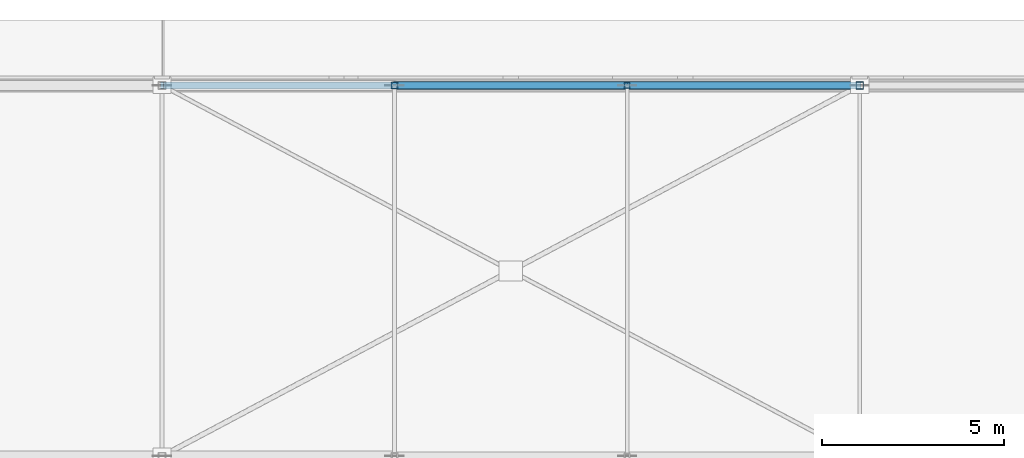
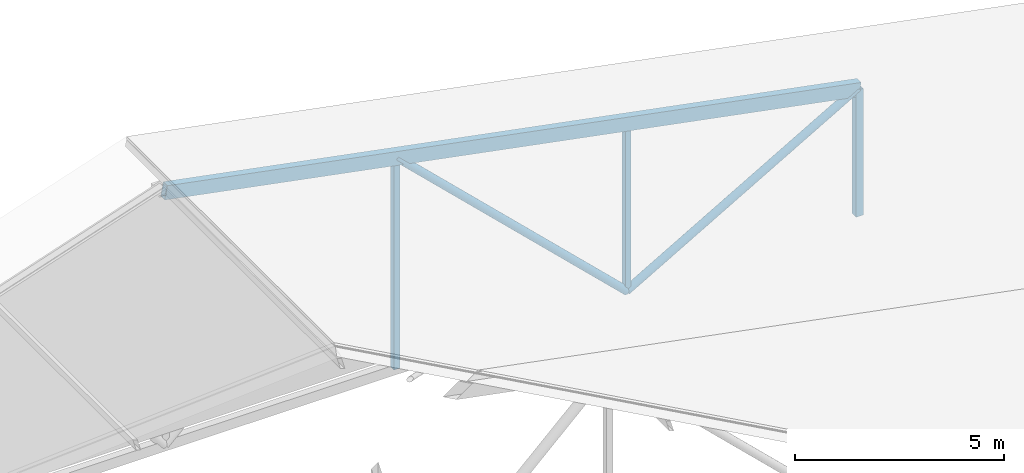
# One storey, part 74 of 200: 6 members.
"""IFC4 building model written with IfcOpenShell, lengths in metres."""

from ifc_helpers import new_model, si_unit, direction, frame, origin, origin_2d, place, context, subcontext, project, spatial, hollow_rectangle, hollow_circle, extrude, material, material_profile, profile_set, type_object, element, save


model = new_model("IFC4")

# Units and contexts
model_context = context("Model", 3, precision=1e-05, world=origin(), true_north=direction((0.0, 1.0)))
body_context = subcontext(model_context, "Body", "Model", "MODEL_VIEW")
ifc_project = project(units=[si_unit("LENGTHUNIT", "METRE"), si_unit("AREAUNIT", "SQUARE_METRE"), si_unit("VOLUMEUNIT", "CUBIC_METRE"), si_unit("PLANEANGLEUNIT", "RADIAN"), si_unit("MASSUNIT", "GRAM", prefix="KILO")], contexts=[model_context])

# Site, building, storey
site_placement = place(None, origin())
site = spatial("IfcSite", under=ifc_project, at=site_placement, CompositionType="ELEMENT")
building_placement = place(site_placement, origin())
building = spatial("IfcBuilding", under=site, at=building_placement, Name="Vondelvale Polytechnic", CompositionType="ELEMENT")
storey_placement = place(building_placement, frame((0.0, 0.0, 13.800048828125)))
storey = spatial("IfcBuildingStorey", under=building, at=storey_placement, Name="L03", CompositionType="ELEMENT", Elevation=13.800048828125)

# Members
ifc_material = material(Name="Steel C350L0 (fy = 350 MPa)", Category="steel")
ifc_material_profile_1 = material_profile(ifc_material, hollow_circle(Radius=0.109619140625, WallThickness=0.00830078125, at=origin_2d()), Name="219.1x8.2CHS")
ifc_profile_set_1 = profile_set([ifc_material_profile_1], Name="Steel C350L0 (fy = 350 MPa)")
member_type_1 = type_object("IfcMemberType", Name="ROOF TRUSS BRACE 219CHS", PredefinedType="BRACE", material=ifc_profile_set_1)
member_1_placement = place(storey_placement, frame((16.0, 122.39990234375, 5.74658203125), z_axis=(0.720102098263, 0.0, -0.69386812009), x_axis=(0.0, 1.0, 0.0)))
element("IfcMember", 1, at=member_1_placement, inside=storey, type_object=member_type_1, Name="ROOF TRUSS TR-08 web diagonal 4", PredefinedType="BRACE", context=body_context, shape_type="SweptSolid", body=[
    extrude(hollow_circle(Radius=0.109619140625, WallThickness=0.00830078125, at=origin_2d()), origin(), (0.0, 0.0, 1.0), 8.887451171875),
])
member_2_placement = place(storey_placement, frame((22.39990234375, 122.39990234375, -0.420166015625), z_axis=(0.865728347066, 0.0, 0.50051416472), x_axis=(0.0, 1.0, 0.0)))
element("IfcMember", 2, at=member_2_placement, inside=storey, type_object=member_type_1, Name="ROOF TRUSS TR-08 web diagonal 5", PredefinedType="BRACE", context=body_context, shape_type="SweptSolid", body=[
    extrude(hollow_circle(Radius=0.109619140625, WallThickness=0.00830078125, at=origin_2d()), origin(), (0.0, 0.0, 1.0), 7.392822265625),
])
ifc_material_profile_2 = material_profile(ifc_material, hollow_rectangle(XDim=0.14990234375, YDim=0.14990234375, WallThickness=0.006103515625, at=origin_2d()), Name="150x150x6.0SHS")
ifc_profile_set_2 = profile_set([ifc_material_profile_2], Name="Steel C350L0 (fy = 350 MPa)")
member_type_2 = type_object("IfcMemberType", Name="ROOF TRUSS POST 150SHS", PredefinedType="POST", material=ifc_profile_set_2)
member_3_placement = place(storey_placement, frame((22.39990234375, 122.39990234375, -0.420166015625), z_axis=(0.0, 0.0, 1.0), x_axis=(1.0, 0.0, 0.0)))
element("IfcMember", 3, at=member_3_placement, inside=storey, type_object=member_type_2, Name="ROOF TRUSS TR-08 vertical post 4", PredefinedType="POST", context=body_context, shape_type="SweptSolid", body=[
    extrude(hollow_rectangle(XDim=0.14990234375, YDim=0.14990234375, WallThickness=0.006103515625, at=origin_2d()), origin(), (0.0, 0.0, 1.0), 4.933349609375),
])
ifc_material_profile_3 = material_profile(ifc_material, hollow_rectangle(XDim=0.175048828125, YDim=0.175048828125, WallThickness=0.006103515625, at=origin_2d()), Name="175x175x6.0SHS")
ifc_profile_set_3 = profile_set([ifc_material_profile_3], Name="Steel C350L0 (fy = 350 MPa)")
member_type_3 = type_object("IfcMemberType", Name="ROOF TRUSS POST 175SHS", PredefinedType="POST", material=ifc_profile_set_3)
member_4_placement = place(storey_placement, frame((16.0, 122.39990234375, -0.420166015625), z_axis=(0.0, 0.0, 1.0), x_axis=(1.0, 0.0, 0.0)))
element("IfcMember", 4, at=member_4_placement, inside=storey, type_object=member_type_3, Name="ROOF TRUSS TR-08 vertical post 3", PredefinedType="POST", context=body_context, shape_type="SweptSolid", body=[
    extrude(hollow_rectangle(XDim=0.175048828125, YDim=0.175048828125, WallThickness=0.006103515625, at=origin_2d()), origin(), (0.0, 0.0, 1.0), 6.166748046875),
])
ifc_material_profile_4 = material_profile(ifc_material, hollow_rectangle(XDim=0.199951171875, YDim=0.199951171875, WallThickness=0.009033203125, at=origin_2d()), Name="200x200x9.0SHS")
ifc_profile_set_4 = profile_set([ifc_material_profile_4], Name="Steel C350L0 (fy = 350 MPa)")
member_type_4 = type_object("IfcMemberType", Name="ROOF TRUSS POST 200SHS", PredefinedType="POST", material=ifc_profile_set_4)
member_5_placement = place(storey_placement, frame((28.800048828125, 122.39990234375, -0.420166015625), z_axis=(0.0, 0.0, 1.0), x_axis=(1.0, 0.0, 0.0)))
element("IfcMember", 5, at=member_5_placement, inside=storey, type_object=member_type_4, Name="ROOF TRUSS TR-08 vertical post 5", PredefinedType="POST", context=body_context, shape_type="SweptSolid", body=[
    extrude(hollow_rectangle(XDim=0.199951171875, YDim=0.199951171875, WallThickness=0.009033203125, at=origin_2d()), origin(), (0.0, 0.0, 1.0), 3.7001953125),
])
ifc_material_profile_5 = material_profile(ifc_material, hollow_rectangle(XDim=0.199951171875, YDim=0.39990234375, WallThickness=0.010009765625, at=origin_2d()), Name="400x200x10.0RHS")
ifc_profile_set_5 = profile_set([ifc_material_profile_5], Name="Steel C350L0 (fy = 350 MPa)")
member_type_5 = type_object("IfcMemberType", Name="ROOF TRUSS TOP CHORD 400RHS", PredefinedType="CHORD", material=ifc_profile_set_5)
member_6_placement = place(storey_placement, frame((9.60009765625, 122.39990234375, 6.97998046875), z_axis=(0.981933791982, 0.0, -0.189224808533), x_axis=(0.0, 1.0, 0.0)))
element("IfcMember", 6, at=member_6_placement, inside=storey, type_object=member_type_5, Name="ROOF TRUSS TR-08 top chord 3", PredefinedType="CHORD", context=body_context, shape_type="SweptSolid", body=[
    extrude(hollow_rectangle(XDim=0.199951171875, YDim=0.39990234375, WallThickness=0.010009765625, at=origin_2d()), origin(), (0.0, 0.0, 1.0), 19.55322265625),
])

save(model, "model.ifc")
